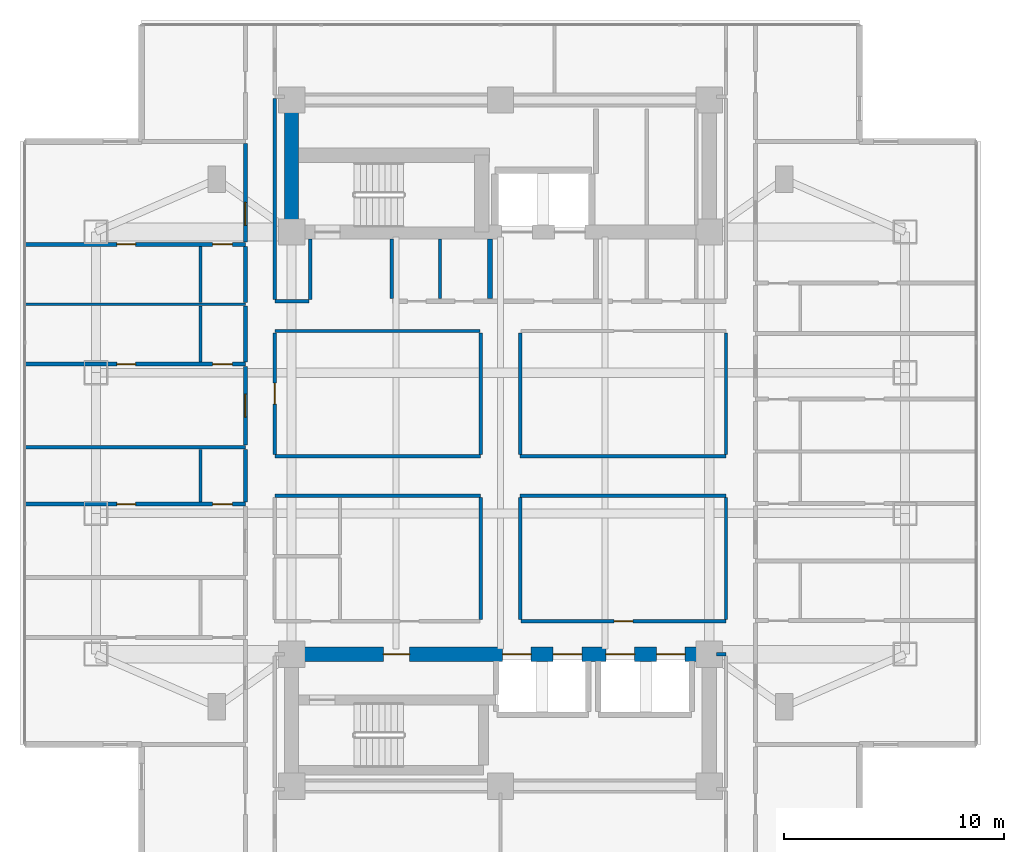
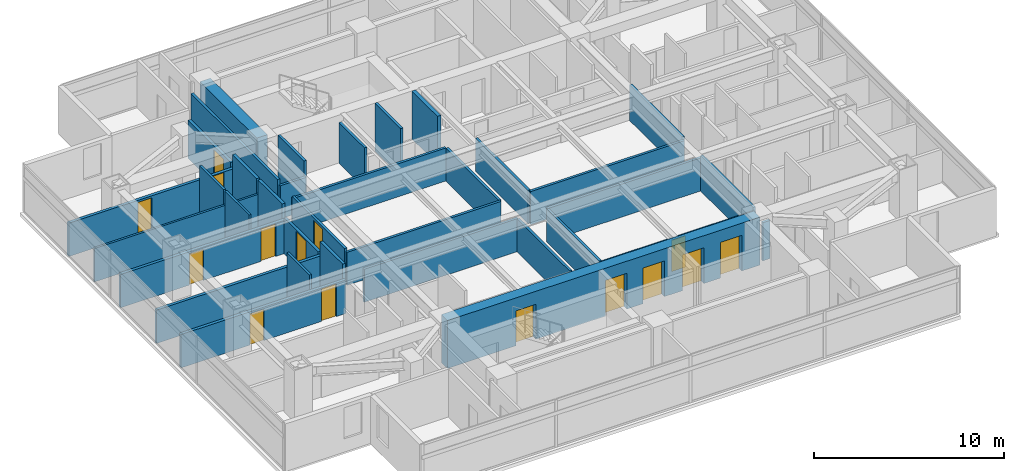
# One storey, part 13 of 25: 35 walls, 15 doors, 15 openings.
"""IFC4 building model written with IfcOpenShell, lengths in metres."""

from ifc_helpers import new_model, si_unit, direction, frame, frame_2d, origin, place, context, subcontext, project, spatial, rectangle, extrude, material, layer, layer_set, type_object, element, fill, save


model = new_model("IFC4")

# Units and contexts
model_context = context("Model", 3, precision=1e-05, world=origin(), true_north=direction((0.0, 1.0)))
body_context = subcontext(model_context, "Body", "Model", "MODEL_VIEW")
ifc_project = project(units=[si_unit("LENGTHUNIT", "METRE"), si_unit("AREAUNIT", "SQUARE_METRE"), si_unit("VOLUMEUNIT", "CUBIC_METRE"), si_unit("PLANEANGLEUNIT", "RADIAN"), si_unit("MASSUNIT", "GRAM", prefix="KILO")], contexts=[model_context])

# Site, building, storey
site_placement = place(None, origin())
site = spatial("IfcSite", under=ifc_project, at=site_placement, CompositionType="ELEMENT")
building_placement = place(site_placement, origin())
building = spatial("IfcBuilding", under=site, at=building_placement, Name="Mirazonda Arch Towers", CompositionType="ELEMENT")
storey_placement = place(building_placement, frame((0.0, 0.0, 104.89990234375)))
storey = spatial("IfcBuildingStorey", under=building, at=storey_placement, Name="L29", CompositionType="ELEMENT", Elevation=104.89990234375)

# Wall
ifc_material_1 = material(Name="Concrete C60/75", Category="concrete")
ifc_layer_1 = layer(ifc_material_1, 0.64990234375, Name="WALL-CORE-650")
ifc_layer_set_1 = layer_set([ifc_layer_1], Name="Concrete C60/75")
wall_type_1 = type_object("IfcWallType", Name="WALL-CORE-650", PredefinedType="SHEAR", material=ifc_layer_set_1)
wall_1_placement = place(storey_placement, frame((11.0, 37.60009765625, 0.0), z_axis=(0.0, 0.0, 1.0), x_axis=(0.0, 1.0, 0.0)))
element("IfcWall", 1, at=wall_1_placement, inside=storey, type_object=wall_type_1, Name="L29 T1N-W Core Shear Wall", PredefinedType="SHEAR", context=body_context, shape_type="SweptSolid", body=[
    extrude(rectangle(XDim=6.0, YDim=0.64990234375, at=frame_2d((3.0, 0.0))), origin(), (0.0, 0.0, 1.0), 3.080078125),
])

# Wall, openings, doors
wall_2_placement = place(storey_placement, frame((11.0, 18.39990234375, 0.0), z_axis=(0.0, 0.0, 1.0), x_axis=(1.0, 0.0, 0.0)))
wall_2 = element("IfcWall", 2, at=wall_2_placement, inside=storey, type_object=wall_type_1, Name="L29 T1S-N Core Shear Wall", PredefinedType="SHEAR", context=body_context, shape_type="SweptSolid", body=[
    extrude(rectangle(XDim=19.0, YDim=0.64990234375, at=frame_2d((9.5, 0.0))), origin(), (0.0, 0.0, 1.0), 3.080078125),
])
opening_1_placement = place(wall_2_placement, frame((4.175048828125, 0.0, 0.0)))
opening_1 = element("IfcOpeningElement", 3, at=opening_1_placement, cuts=wall_2, Name="Opening DR-117", PredefinedType="OPENING", context=body_context, shape_type="SweptSolid", body=[
    extrude(rectangle(XDim=1.199951171875, YDim=2.25, at=frame_2d((0.60009765625, 1.125))), frame((0.0, 0.3349609375, 0.0), z_axis=(0.0, -1.0, 0.0), x_axis=(1.0, 0.0, 0.0)), (0.0, 0.0, 1.0), 0.669921875),
])
opening_2_placement = place(wall_2_placement, frame((9.60009765625, 0.0, 0.0)))
opening_2 = element("IfcOpeningElement", 4, at=opening_2_placement, cuts=wall_2, Name="Opening LD-111", PredefinedType="OPENING", context=body_context, shape_type="SweptSolid", body=[
    extrude(rectangle(XDim=1.300048828125, YDim=2.300048828125, at=frame_2d((0.64990234375, 1.14990234375))), frame((0.0, 0.3349609375, 0.0), z_axis=(0.0, -1.0, 0.0), x_axis=(1.0, 0.0, 0.0)), (0.0, 0.0, 1.0), 0.669921875),
])
opening_3_placement = place(wall_2_placement, frame((11.89990234375, 0.0, 0.0)))
opening_3 = element("IfcOpeningElement", 5, at=opening_3_placement, cuts=wall_2, Name="Opening LD-111", PredefinedType="OPENING", context=body_context, shape_type="SweptSolid", body=[
    extrude(rectangle(XDim=1.300048828125, YDim=2.300048828125, at=frame_2d((0.64990234375, 1.14990234375))), frame((0.0, 0.3349609375, 0.0), z_axis=(0.0, -1.0, 0.0), x_axis=(1.0, 0.0, 0.0)), (0.0, 0.0, 1.0), 0.669921875),
])
opening_4_placement = place(wall_2_placement, frame((14.300048828125, 0.0, 0.0)))
opening_4 = element("IfcOpeningElement", 6, at=opening_4_placement, cuts=wall_2, Name="Opening LD-111", PredefinedType="OPENING", context=body_context, shape_type="SweptSolid", body=[
    extrude(rectangle(XDim=1.300048828125, YDim=2.300048828125, at=frame_2d((0.64990234375, 1.14990234375))), frame((0.0, 0.3349609375, 0.0), z_axis=(0.0, -1.0, 0.0), x_axis=(1.0, 0.0, 0.0)), (0.0, 0.0, 1.0), 0.669921875),
])
opening_5_placement = place(wall_2_placement, frame((16.60009765625, 0.0, 0.0)))
opening_5 = element("IfcOpeningElement", 7, at=opening_5_placement, cuts=wall_2, Name="Opening LD-111", PredefinedType="OPENING", context=body_context, shape_type="SweptSolid", body=[
    extrude(rectangle(XDim=1.300048828125, YDim=2.300048828125, at=frame_2d((0.64990234375, 1.14990234375))), frame((0.0, 0.3349609375, 0.0), z_axis=(0.0, -1.0, 0.0), x_axis=(1.0, 0.0, 0.0)), (0.0, 0.0, 1.0), 0.669921875),
])
ifc_material_2 = material(Name="Architectural Brushed Steel S355", Category="steel")
door_type_1 = type_object("IfcDoorType", Name="DOOR-FFL-FD90-1200", OperationType="NOTDEFINED", PredefinedType="DOOR", material=ifc_material_2)
door_1_placement = place(opening_1_placement, origin())
door_1 = element("IfcDoor", 8, at=door_1_placement, inside=storey, type_object=door_type_1, Name="L29 South Core Stair & Lift Lobby Door", OperationType="SINGLE_SWING_RIGHT", OverallHeight=2.25, OverallWidth=1.199951171875, PredefinedType="DOOR", context=body_context, shape_type="SweptSolid", body=[
    extrude(rectangle(XDim=1.199951171875, YDim=2.25, at=frame_2d((0.60009765625, 1.125))), frame((0.0, 0.02490234375, 0.0), z_axis=(0.0, -1.0, 0.0), x_axis=(1.0, 0.0, 0.0)), (0.0, 0.0, 1.0), 0.050048828125),
])
fill(opening_1, door_1)
door_type_2 = type_object("IfcDoorType", Name="DOOR-LIFT-LAND-1300", OperationType="NOTDEFINED", PredefinedType="DOOR", material=ifc_material_2)
door_2_placement = place(opening_2_placement, origin())
door_2 = element("IfcDoor", 9, at=door_2_placement, inside=storey, type_object=door_type_2, Name="L29 Lift Landing Sliding Door PL-T1M1", OperationType="DOUBLE_DOOR_SLIDING", OverallHeight=2.300048828125, OverallWidth=1.300048828125, PredefinedType="DOOR", context=body_context, shape_type="SweptSolid", body=[
    extrude(rectangle(XDim=1.300048828125, YDim=2.300048828125, at=frame_2d((0.64990234375, 1.14990234375))), frame((0.0, 0.02490234375, 0.0), z_axis=(0.0, -1.0, 0.0), x_axis=(1.0, 0.0, 0.0)), (0.0, 0.0, 1.0), 0.050048828125),
])
fill(opening_2, door_2)
door_3_placement = place(opening_3_placement, origin())
door_3 = element("IfcDoor", 10, at=door_3_placement, inside=storey, type_object=door_type_2, Name="L29 Lift Landing Sliding Door PL-T1M2", OperationType="DOUBLE_DOOR_SLIDING", OverallHeight=2.300048828125, OverallWidth=1.300048828125, PredefinedType="DOOR", context=body_context, shape_type="SweptSolid", body=[
    extrude(rectangle(XDim=1.300048828125, YDim=2.300048828125, at=frame_2d((0.64990234375, 1.14990234375))), frame((0.0, 0.02490234375, 0.0), z_axis=(0.0, -1.0, 0.0), x_axis=(1.0, 0.0, 0.0)), (0.0, 0.0, 1.0), 0.050048828125),
])
fill(opening_3, door_3)
door_4_placement = place(opening_4_placement, origin())
door_4 = element("IfcDoor", 11, at=door_4_placement, inside=storey, type_object=door_type_2, Name="L29 Lift Landing Sliding Door PL-T1H1", OperationType="DOUBLE_DOOR_SLIDING", OverallHeight=2.300048828125, OverallWidth=1.300048828125, PredefinedType="DOOR", context=body_context, shape_type="SweptSolid", body=[
    extrude(rectangle(XDim=1.300048828125, YDim=2.300048828125, at=frame_2d((0.64990234375, 1.14990234375))), frame((0.0, 0.02490234375, 0.0), z_axis=(0.0, -1.0, 0.0), x_axis=(1.0, 0.0, 0.0)), (0.0, 0.0, 1.0), 0.050048828125),
])
fill(opening_4, door_4)
door_5_placement = place(opening_5_placement, origin())
door_5 = element("IfcDoor", 12, at=door_5_placement, inside=storey, type_object=door_type_2, Name="L29 Lift Landing Sliding Door PL-T1H2", OperationType="DOUBLE_DOOR_SLIDING", OverallHeight=2.300048828125, OverallWidth=1.300048828125, PredefinedType="DOOR", context=body_context, shape_type="SweptSolid", body=[
    extrude(rectangle(XDim=1.300048828125, YDim=2.300048828125, at=frame_2d((0.64990234375, 1.14990234375))), frame((0.0, 0.02490234375, 0.0), z_axis=(0.0, -1.0, 0.0), x_axis=(1.0, 0.0, 0.0)), (0.0, 0.0, 1.0), 0.050048828125),
])
fill(opening_5, door_5)

# Walls
ifc_material_3 = material(Name="Concrete C40/50", Category="concrete")
ifc_layer_2 = layer(ifc_material_3, 0.219970703125, Name="WALL-FFL-220")
ifc_layer_set_2 = layer_set([ifc_layer_2], Name="Concrete C40/50")
wall_type_2 = type_object("IfcWallType", Name="WALL-FFL-220", PredefinedType="SOLIDWALL", material=ifc_layer_set_2)
wall_3_placement = place(storey_placement, frame((20.02490234375, 34.570068359375, 0.0), z_axis=(0.0, 0.0, 1.0), x_axis=(0.0, 1.0, 0.0)))
element("IfcWall", 13, at=wall_3_placement, inside=storey, type_object=wall_type_2, Name="L29 Interior Partition 096", PredefinedType="SOLIDWALL", context=body_context, shape_type="SweptSolid", body=[
    extrude(rectangle(XDim=2.7099609375, YDim=0.219970703125, at=frame_2d((1.35498046875, 0.0))), origin(), (0.0, 0.0, 1.0), 3.080078125),
])
ifc_material_4 = material(Name="Fire-Rated Gypsum Stud Partition")
ifc_layer_3 = layer(ifc_material_4, 0.14990234375, Name="WALL-PART-CORR-150")
ifc_layer_set_3 = layer_set([ifc_layer_3], Name="Fire-Rated Gypsum Stud Partition")
wall_type_3 = type_object("IfcWallType", Name="WALL-PART-CORR-150", PredefinedType="PARTITIONING", material=ifc_layer_set_3)
wall_4_placement = place(storey_placement, frame((30.320068359375, 18.39990234375, 0.0), z_axis=(0.0, 0.0, 1.0), x_axis=(1.0, 0.0, 0.0)))
element("IfcWall", 14, at=wall_4_placement, inside=storey, type_object=wall_type_3, Name="L29 Interior Partition 013", PredefinedType="PARTITIONING", context=body_context, shape_type="SweptSolid", body=[
    extrude(rectangle(XDim=0.43994140625, YDim=0.14990234375, at=frame_2d((0.219970703125, 0.0))), origin(), (0.0, 0.0, 1.0), 2.4560546875),
])

# Wall, opening, door
wall_5_placement = place(storey_placement, frame((21.43994140625, 19.89990234375, 0.0), z_axis=(0.0, 0.0, 1.0), x_axis=(1.0, 0.0, 0.0)))
wall_5 = element("IfcWall", 15, at=wall_5_placement, inside=storey, type_object=wall_type_3, Name="L29 Interior Partition 017", PredefinedType="PARTITIONING", context=body_context, shape_type="SweptSolid", body=[
    extrude(rectangle(XDim=9.320068359375, YDim=0.14990234375, at=frame_2d((4.66015625, 0.0))), origin(), (0.0, 0.0, 1.0), 2.1240234375),
])
opening_6_placement = place(wall_5_placement, frame((4.235107421875, 0.0, 0.0)))
opening_6 = element("IfcOpeningElement", 16, at=opening_6_placement, cuts=wall_5, Name="Opening DR-128", PredefinedType="OPENING", context=body_context, shape_type="SweptSolid", body=[
    extrude(rectangle(XDim=0.85009765625, YDim=2.010009765625, at=frame_2d((0.425048828125, 1.0048828125))), frame((0.0, 0.0849609375, 0.0), z_axis=(0.0, -1.0, 0.0), x_axis=(1.0, 0.0, 0.0)), (0.0, 0.0, 1.0), 0.169921875),
])
door_type_3 = type_object("IfcDoorType", Name="DOOR-RISER-FD60-850", OperationType="NOTDEFINED", PredefinedType="DOOR", material=ifc_material_2)
door_6_placement = place(opening_6_placement, origin())
door_6 = element("IfcDoor", 17, at=door_6_placement, inside=storey, type_object=door_type_3, Name="L29 L29 South-East Cruciform Lounge Door", OperationType="SINGLE_SWING_LEFT", OverallHeight=2.010009765625, OverallWidth=0.85009765625, PredefinedType="DOOR", context=body_context, shape_type="SweptSolid", body=[
    extrude(rectangle(XDim=0.85009765625, YDim=2.010009765625, at=frame_2d((0.425048828125, 1.0048828125))), frame((0.0, 0.02490234375, 0.0), z_axis=(0.0, -1.0, 0.0), x_axis=(1.0, 0.0, 0.0)), (0.0, 0.0, 1.0), 0.050048828125),
])
fill(opening_6, door_6)

# Walls
for number, where, z_axis, x_axis, name in (
    (18, (10.239990234375, 25.60009765625, 0.0), (0.0, 0.0, 1.0), (1.0, 0.0, 0.0), "L29 Interior Partition 031"),
    (19, (21.39990234375, 25.60009765625, 0.0), (0.0, 0.0, 1.0), (1.0, 0.0, 0.0), "L29 Interior Partition 032"),
    (20, (10.239990234375, 27.39990234375, 0.0), (0.0, 0.0, 1.0), (1.0, 0.0, 0.0), "L29 Interior Partition 036"),
    (21, (21.39990234375, 27.39990234375, 0.0), (0.0, 0.0, 1.0), (1.0, 0.0, 0.0), "L29 Interior Partition 037"),
):
    element("IfcWall", number, at=place(storey_placement, frame(where, z_axis=z_axis, x_axis=x_axis)), inside=storey, type_object=wall_type_3, Name=name, PredefinedType="PARTITIONING", context=body_context, shape_type="SweptSolid", body=[
        extrude(rectangle(XDim=9.360107421875, YDim=0.14990234375, at=frame_2d((4.68017578125, 0.0))), origin(), (0.0, 0.0, 1.0), 2.1240234375),
    ])
wall_6_placement = place(storey_placement, frame((10.239990234375, 33.10009765625, 0.0), z_axis=(0.0, 0.0, 1.0), x_axis=(1.0, 0.0, 0.0)))
element("IfcWall", 22, at=wall_6_placement, inside=storey, type_object=wall_type_3, Name="L29 Interior Partition 048", PredefinedType="PARTITIONING", context=body_context, shape_type="SweptSolid", body=[
    extrude(rectangle(XDim=9.320068359375, YDim=0.14990234375, at=frame_2d((4.66015625, 0.0))), origin(), (0.0, 0.0, 1.0), 2.1240234375),
])
wall_7_placement = place(storey_placement, frame((10.239990234375, 34.449951171875, 0.0), z_axis=(0.0, 0.0, 1.0), x_axis=(1.0, 0.0, 0.0)))
element("IfcWall", 23, at=wall_7_placement, inside=storey, type_object=wall_type_3, Name="L29 Interior Partition 052", PredefinedType="PARTITIONING", context=body_context, shape_type="SweptSolid", body=[
    extrude(rectangle(XDim=1.56005859375, YDim=0.14990234375, at=frame_2d((0.780029296875, 0.0))), origin(), (0.0, 0.0, 1.0), 2.1240234375),
])

# Wall, opening, door
wall_8_placement = place(storey_placement, frame((10.239990234375, 27.485107421875, 0.0), z_axis=(0.0, 0.0, 1.0), x_axis=(0.0, 1.0, 0.0)))
wall_8 = element("IfcWall", 24, at=wall_8_placement, inside=storey, type_object=wall_type_3, Name="L29 Interior Partition 085", PredefinedType="PARTITIONING", context=body_context, shape_type="SweptSolid", body=[
    extrude(rectangle(XDim=5.52978515625, YDim=0.14990234375, at=frame_2d((2.764892578125, 0.0))), origin(), (0.0, 0.0, 1.0), 2.299072265625),
])
opening_7_placement = place(wall_8_placement, frame((2.2900390625, 0.0, 0.0)))
opening_7 = element("IfcOpeningElement", 25, at=opening_7_placement, cuts=wall_8, Name="Opening DR-104", PredefinedType="OPENING", context=body_context, shape_type="SweptSolid", body=[
    extrude(rectangle(XDim=0.949951171875, YDim=2.14990234375, at=frame_2d((0.47509765625, 1.074951171875))), frame((0.0, 0.0849609375, 0.0), z_axis=(0.0, -1.0, 0.0), x_axis=(1.0, 0.0, 0.0)), (0.0, 0.0, 1.0), 0.169921875),
])
door_type_4 = type_object("IfcDoorType", Name="DOOR-ROOM-950", OperationType="NOTDEFINED", PredefinedType="DOOR", material=ifc_material_2)
door_7_placement = place(opening_7_placement, origin())
door_7 = element("IfcDoor", 26, at=door_7_placement, inside=storey, type_object=door_type_4, Name="L29 L29 West Courtyard Reading Salon Door", OperationType="SINGLE_SWING_RIGHT", OverallHeight=2.14990234375, OverallWidth=0.949951171875, PredefinedType="DOOR", context=body_context, shape_type="SweptSolid", body=[
    extrude(rectangle(XDim=0.949951171875, YDim=2.14990234375, at=frame_2d((0.47509765625, 1.074951171875))), frame((0.0, 0.02490234375, 0.0), z_axis=(0.0, -1.0, 0.0), x_axis=(1.0, 0.0, 0.0)), (0.0, 0.0, 1.0), 0.050048828125),
])
fill(opening_7, door_7)

# Walls
wall_9_placement = place(storey_placement, frame((10.239990234375, 34.534912109375, 0.0), z_axis=(0.0, 0.0, 1.0), x_axis=(0.0, 1.0, 0.0)))
element("IfcWall", 27, at=wall_9_placement, inside=storey, type_object=wall_type_3, Name="L29 Interior Partition 086", PredefinedType="PARTITIONING", context=body_context, shape_type="SweptSolid", body=[
    extrude(rectangle(XDim=9.130126953125, YDim=0.14990234375, at=frame_2d((4.56494140625, 0.0))), origin(), (0.0, 0.0, 1.0), 2.4560546875),
])
wall_10_placement = place(storey_placement, frame((11.85009765625, 34.534912109375, 0.0), z_axis=(0.0, 0.0, 1.0), x_axis=(0.0, 1.0, 0.0)))
element("IfcWall", 28, at=wall_10_placement, inside=storey, type_object=wall_type_3, Name="L29 Interior Partition 088", PredefinedType="PARTITIONING", context=body_context, shape_type="SweptSolid", body=[
    extrude(rectangle(XDim=2.7451171875, YDim=0.14990234375, at=frame_2d((1.37255859375, 0.0))), origin(), (0.0, 0.0, 1.0), 3.080078125),
])
wall_11_placement = place(storey_placement, frame((15.550048828125, 34.570068359375, 0.0), z_axis=(0.0, 0.0, 1.0), x_axis=(0.0, 1.0, 0.0)))
element("IfcWall", 29, at=wall_11_placement, inside=storey, type_object=wall_type_3, Name="L29 Interior Partition 091", PredefinedType="PARTITIONING", context=body_context, shape_type="SweptSolid", body=[
    extrude(rectangle(XDim=2.7099609375, YDim=0.14990234375, at=frame_2d((1.35498046875, 0.0))), origin(), (0.0, 0.0, 1.0), 2.609130859375),
])
wall_12_placement = place(storey_placement, frame((17.75, 34.570068359375, 0.0), z_axis=(0.0, 0.0, 1.0), x_axis=(0.0, 1.0, 0.0)))
element("IfcWall", 30, at=wall_12_placement, inside=storey, type_object=wall_type_3, Name="L29 Interior Partition 092", PredefinedType="PARTITIONING", context=body_context, shape_type="SweptSolid", body=[
    extrude(rectangle(XDim=2.7099609375, YDim=0.14990234375, at=frame_2d((1.35498046875, 0.0))), origin(), (0.0, 0.0, 1.0), 3.080078125),
])
for number, where, z_axis, x_axis, name in (
    (31, (19.60009765625, 19.985107421875, 0.0), (0.0, 0.0, 1.0), (0.0, 1.0, 0.0), "L29 Interior Partition 093"),
    (32, (19.60009765625, 27.485107421875, 0.0), (0.0, 0.0, 1.0), (0.0, 1.0, 0.0), "L29 Interior Partition 094"),
    (33, (21.39990234375, 19.985107421875, 0.0), (0.0, 0.0, 1.0), (0.0, 1.0, 0.0), "L29 Interior Partition 101"),
    (34, (21.39990234375, 27.485107421875, 0.0), (0.0, 0.0, 1.0), (0.0, 1.0, 0.0), "L29 Interior Partition 102"),
):
    element("IfcWall", number, at=place(storey_placement, frame(where, z_axis=z_axis, x_axis=x_axis)), inside=storey, type_object=wall_type_3, Name=name, PredefinedType="PARTITIONING", context=body_context, shape_type="SweptSolid", body=[
        extrude(rectangle(XDim=5.52978515625, YDim=0.14990234375, at=frame_2d((2.764892578125, 0.0))), origin(), (0.0, 0.0, 1.0), 2.1240234375),
    ])
for number, where, z_axis, x_axis, name in (
    (35, (30.760009765625, 19.985107421875, 0.0), (0.0, 0.0, 1.0), (0.0, 1.0, 0.0), "L29 Interior Partition 116"),
    (36, (30.760009765625, 27.485107421875, 0.0), (0.0, 0.0, 1.0), (0.0, 1.0, 0.0), "L29 Interior Partition 117"),
):
    element("IfcWall", number, at=place(storey_placement, frame(where, z_axis=z_axis, x_axis=x_axis)), inside=storey, type_object=wall_type_3, Name=name, PredefinedType="PARTITIONING", context=body_context, shape_type="SweptSolid", body=[
        extrude(rectangle(XDim=5.52978515625, YDim=0.14990234375, at=frame_2d((2.764892578125, 0.0))), origin(), (0.0, 0.0, 1.0), 2.299072265625),
    ])

# Wall, openings, doors
ifc_material_5 = material(Name="Fire-Rated Gypsum Twin-Stud Assembly")
ifc_layer_4 = layer(ifc_material_5, 0.179931640625, Name="WALL-PART-DEMISE-180")
ifc_layer_set_4 = layer_set([ifc_layer_4], Name="Fire-Rated Gypsum Twin-Stud Assembly")
wall_type_4 = type_object("IfcWallType", Name="WALL-PART-DEMISE-180", PredefinedType="PARTITIONING", material=ifc_layer_set_4)
wall_13_placement = place(storey_placement, frame((-1.1298828125, 25.22412109375, 0.0), z_axis=(0.0, 0.0, 1.0), x_axis=(1.0, 0.0, 0.0)))
wall_13 = element("IfcWall", 37, at=wall_13_placement, inside=storey, type_object=wall_type_4, Name="L29 Interior Partition 029", PredefinedType="PARTITIONING", context=body_context, shape_type="SweptSolid", body=[
    extrude(rectangle(XDim=10.02978515625, YDim=0.179931640625, at=frame_2d((5.014892578125, 0.0))), origin(), (0.0, 0.0, 1.0), 2.14501953125),
])
opening_8_placement = place(wall_13_placement, frame((4.18994140625, 0.0, 0.0)))
opening_8 = element("IfcOpeningElement", 38, at=opening_8_placement, cuts=wall_13, Name="Opening DR-128", PredefinedType="OPENING", context=body_context, shape_type="SweptSolid", body=[
    extrude(rectangle(XDim=0.85009765625, YDim=2.010009765625, at=frame_2d((0.425048828125, 1.0048828125))), frame((0.0, 0.099853515625, 0.0), z_axis=(0.0, -1.0, 0.0), x_axis=(1.0, 0.0, 0.0)), (0.0, 0.0, 1.0), 0.199951171875),
])
opening_9_placement = place(wall_13_placement, frame((8.5400390625, 0.0, 0.0)))
opening_9 = element("IfcOpeningElement", 39, at=opening_9_placement, cuts=wall_13, Name="Opening DR-120", PredefinedType="OPENING", context=body_context, shape_type="SweptSolid", body=[
    extrude(rectangle(XDim=0.89990234375, YDim=2.10009765625, at=frame_2d((0.449951171875, 1.050048828125))), frame((0.0, 0.099853515625, 0.0), z_axis=(0.0, -1.0, 0.0), x_axis=(1.0, 0.0, 0.0)), (0.0, 0.0, 1.0), 0.199951171875),
])
door_8_placement = place(opening_8_placement, origin())
door_8 = element("IfcDoor", 40, at=door_8_placement, inside=storey, type_object=door_type_3, Name="L29 Suite Bedroom 2 Door", OperationType="SINGLE_SWING_LEFT", OverallHeight=2.010009765625, OverallWidth=0.85009765625, PredefinedType="DOOR", context=body_context, shape_type="SweptSolid", body=[
    extrude(rectangle(XDim=0.85009765625, YDim=2.010009765625, at=frame_2d((0.425048828125, 1.0048828125))), frame((0.0, 0.02490234375, 0.0), z_axis=(0.0, -1.0, 0.0), x_axis=(1.0, 0.0, 0.0)), (0.0, 0.0, 1.0), 0.050048828125),
])
fill(opening_8, door_8)
door_type_5 = type_object("IfcDoorType", Name="DOOR-WC-900", OperationType="NOTDEFINED", PredefinedType="DOOR", material=ifc_material_2)
door_9_placement = place(opening_9_placement, origin())
door_9 = element("IfcDoor", 41, at=door_9_placement, inside=storey, type_object=door_type_5, Name="L29 Suite En-Suite Bathroom 2 Door", OperationType="SINGLE_SWING_RIGHT", OverallHeight=2.10009765625, OverallWidth=0.89990234375, PredefinedType="DOOR", context=body_context, shape_type="SweptSolid", body=[
    extrude(rectangle(XDim=0.89990234375, YDim=2.10009765625, at=frame_2d((0.449951171875, 1.050048828125))), frame((0.0, 0.02490234375, 0.0), z_axis=(0.0, -1.0, 0.0), x_axis=(1.0, 0.0, 0.0)), (0.0, 0.0, 1.0), 0.050048828125),
])
fill(opening_9, door_9)

# Wall
wall_14_placement = place(storey_placement, frame((-1.1298828125, 27.80908203125, 0.0), z_axis=(0.0, 0.0, 1.0), x_axis=(1.0, 0.0, 0.0)))
element("IfcWall", 42, at=wall_14_placement, inside=storey, type_object=wall_type_4, Name="L29 Interior Partition 038", PredefinedType="PARTITIONING", context=body_context, shape_type="SweptSolid", body=[
    extrude(rectangle(XDim=10.02978515625, YDim=0.179931640625, at=frame_2d((5.014892578125, 0.0))), origin(), (0.0, 0.0, 1.0), 2.14501953125),
])

# Wall, openings, doors
wall_15_placement = place(storey_placement, frame((-1.1298828125, 31.593017578125, 0.0), z_axis=(0.0, 0.0, 1.0), x_axis=(1.0, 0.0, 0.0)))
wall_15 = element("IfcWall", 43, at=wall_15_placement, inside=storey, type_object=wall_type_4, Name="L29 Interior Partition 045", PredefinedType="PARTITIONING", context=body_context, shape_type="SweptSolid", body=[
    extrude(rectangle(XDim=10.02978515625, YDim=0.179931640625, at=frame_2d((5.014892578125, 0.0))), origin(), (0.0, 0.0, 1.0), 2.14501953125),
])
opening_10_placement = place(wall_15_placement, frame((4.18994140625, 0.0, 0.0)))
opening_10 = element("IfcOpeningElement", 44, at=opening_10_placement, cuts=wall_15, Name="Opening DR-128", PredefinedType="OPENING", context=body_context, shape_type="SweptSolid", body=[
    extrude(rectangle(XDim=0.85009765625, YDim=2.010009765625, at=frame_2d((0.425048828125, 1.0048828125))), frame((0.0, 0.099853515625, 0.0), z_axis=(0.0, -1.0, 0.0), x_axis=(1.0, 0.0, 0.0)), (0.0, 0.0, 1.0), 0.199951171875),
])
opening_11_placement = place(wall_15_placement, frame((8.5400390625, 0.0, 0.0)))
opening_11 = element("IfcOpeningElement", 45, at=opening_11_placement, cuts=wall_15, Name="Opening DR-120", PredefinedType="OPENING", context=body_context, shape_type="SweptSolid", body=[
    extrude(rectangle(XDim=0.89990234375, YDim=2.10009765625, at=frame_2d((0.449951171875, 1.050048828125))), frame((0.0, 0.099853515625, 0.0), z_axis=(0.0, -1.0, 0.0), x_axis=(1.0, 0.0, 0.0)), (0.0, 0.0, 1.0), 0.199951171875),
])
door_10_placement = place(opening_10_placement, origin())
door_10 = element("IfcDoor", 46, at=door_10_placement, inside=storey, type_object=door_type_3, Name="L29 Suite Bedroom 3 Door", OperationType="SINGLE_SWING_RIGHT", OverallHeight=2.010009765625, OverallWidth=0.85009765625, PredefinedType="DOOR", context=body_context, shape_type="SweptSolid", body=[
    extrude(rectangle(XDim=0.85009765625, YDim=2.010009765625, at=frame_2d((0.425048828125, 1.0048828125))), frame((0.0, 0.02490234375, 0.0), z_axis=(0.0, -1.0, 0.0), x_axis=(1.0, 0.0, 0.0)), (0.0, 0.0, 1.0), 0.050048828125),
])
fill(opening_10, door_10)
door_11_placement = place(opening_11_placement, origin())
door_11 = element("IfcDoor", 47, at=door_11_placement, inside=storey, type_object=door_type_5, Name="L29 Suite En-Suite Bathroom 3 Door", OperationType="SINGLE_SWING_LEFT", OverallHeight=2.10009765625, OverallWidth=0.89990234375, PredefinedType="DOOR", context=body_context, shape_type="SweptSolid", body=[
    extrude(rectangle(XDim=0.89990234375, YDim=2.10009765625, at=frame_2d((0.449951171875, 1.050048828125))), frame((0.0, 0.02490234375, 0.0), z_axis=(0.0, -1.0, 0.0), x_axis=(1.0, 0.0, 0.0)), (0.0, 0.0, 1.0), 0.050048828125),
])
fill(opening_11, door_11)

wall_16_placement = place(storey_placement, frame((-1.1298828125, 37.032958984375, 0.0), z_axis=(0.0, 0.0, 1.0), x_axis=(1.0, 0.0, 0.0)))
wall_16 = element("IfcWall", 48, at=wall_16_placement, inside=storey, type_object=wall_type_4, Name="L29 Interior Partition 057", PredefinedType="PARTITIONING", context=body_context, shape_type="SweptSolid", body=[
    extrude(rectangle(XDim=10.02978515625, YDim=0.179931640625, at=frame_2d((5.014892578125, 0.0))), origin(), (0.0, 0.0, 1.0), 2.14501953125),
])
opening_12_placement = place(wall_16_placement, frame((4.18994140625, 0.0, 0.0)))
opening_12 = element("IfcOpeningElement", 49, at=opening_12_placement, cuts=wall_16, Name="Opening DR-128", PredefinedType="OPENING", context=body_context, shape_type="SweptSolid", body=[
    extrude(rectangle(XDim=0.85009765625, YDim=2.010009765625, at=frame_2d((0.425048828125, 1.0048828125))), frame((0.0, 0.099853515625, 0.0), z_axis=(0.0, -1.0, 0.0), x_axis=(1.0, 0.0, 0.0)), (0.0, 0.0, 1.0), 0.199951171875),
])
opening_13_placement = place(wall_16_placement, frame((8.5400390625, 0.0, 0.0)))
opening_13 = element("IfcOpeningElement", 50, at=opening_13_placement, cuts=wall_16, Name="Opening DR-120", PredefinedType="OPENING", context=body_context, shape_type="SweptSolid", body=[
    extrude(rectangle(XDim=0.89990234375, YDim=2.10009765625, at=frame_2d((0.449951171875, 1.050048828125))), frame((0.0, 0.099853515625, 0.0), z_axis=(0.0, -1.0, 0.0), x_axis=(1.0, 0.0, 0.0)), (0.0, 0.0, 1.0), 0.199951171875),
])
door_12_placement = place(opening_12_placement, origin())
door_12 = element("IfcDoor", 51, at=door_12_placement, inside=storey, type_object=door_type_3, Name="L29 Suite Bedroom 4 Door", OperationType="SINGLE_SWING_LEFT", OverallHeight=2.010009765625, OverallWidth=0.85009765625, PredefinedType="DOOR", context=body_context, shape_type="SweptSolid", body=[
    extrude(rectangle(XDim=0.85009765625, YDim=2.010009765625, at=frame_2d((0.425048828125, 1.0048828125))), frame((0.0, 0.02490234375, 0.0), z_axis=(0.0, -1.0, 0.0), x_axis=(1.0, 0.0, 0.0)), (0.0, 0.0, 1.0), 0.050048828125),
])
fill(opening_12, door_12)
door_13_placement = place(opening_13_placement, origin())
door_13 = element("IfcDoor", 52, at=door_13_placement, inside=storey, type_object=door_type_5, Name="L29 Suite En-Suite Bathroom 4 Door", OperationType="SINGLE_SWING_RIGHT", OverallHeight=2.10009765625, OverallWidth=0.89990234375, PredefinedType="DOOR", context=body_context, shape_type="SweptSolid", body=[
    extrude(rectangle(XDim=0.89990234375, YDim=2.10009765625, at=frame_2d((0.449951171875, 1.050048828125))), frame((0.0, 0.02490234375, 0.0), z_axis=(0.0, -1.0, 0.0), x_axis=(1.0, 0.0, 0.0)), (0.0, 0.0, 1.0), 0.050048828125),
])
fill(opening_13, door_13)

# Wall
wall_17_placement = place(storey_placement, frame((8.89990234375, 25.323974609375, 0.0), z_axis=(0.0, 0.0, 1.0), x_axis=(0.0, 1.0, 0.0)))
element("IfcWall", 53, at=wall_17_placement, inside=storey, type_object=wall_type_4, Name="L29 Interior Partition 075", PredefinedType="PARTITIONING", context=body_context, shape_type="SweptSolid", body=[
    extrude(rectangle(XDim=2.385009765625, YDim=0.179931640625, at=frame_2d((1.1923828125, 0.0))), origin(), (0.0, 0.0, 1.0), 3.080078125),
])

# Wall, opening, door
wall_18_placement = place(storey_placement, frame((8.89990234375, 27.908935546875, 0.0), z_axis=(0.0, 0.0, 1.0), x_axis=(0.0, 1.0, 0.0)))
wall_18 = element("IfcWall", 54, at=wall_18_placement, inside=storey, type_object=wall_type_4, Name="L29 Interior Partition 076", PredefinedType="PARTITIONING", context=body_context, shape_type="SweptSolid", body=[
    extrude(rectangle(XDim=3.583984375, YDim=0.179931640625, at=frame_2d((1.7919921875, 0.0))), origin(), (0.0, 0.0, 1.0), 2.299072265625),
])
opening_14_placement = place(wall_18_placement, frame((1.26708984375, 0.0, 0.0)))
opening_14 = element("IfcOpeningElement", 55, at=opening_14_placement, cuts=wall_18, Name="Opening DR-121", PredefinedType="OPENING", context=body_context, shape_type="SweptSolid", body=[
    extrude(rectangle(XDim=1.050048828125, YDim=2.199951171875, at=frame_2d((0.52490234375, 1.10009765625))), frame((0.0, 0.099853515625, 0.0), z_axis=(0.0, -1.0, 0.0), x_axis=(1.0, 0.0, 0.0)), (0.0, 0.0, 1.0), 0.199951171875),
])
door_type_6 = type_object("IfcDoorType", Name="DOOR-SUITE-FD60-1050", OperationType="NOTDEFINED", PredefinedType="DOOR", material=ifc_material_2)
door_14_placement = place(opening_14_placement, origin())
door_14 = element("IfcDoor", 56, at=door_14_placement, inside=storey, type_object=door_type_6, Name="L29 Deluxe Suite Living Room 3 Door", OperationType="SINGLE_SWING_LEFT", OverallHeight=2.199951171875, OverallWidth=1.050048828125, PredefinedType="DOOR", context=body_context, shape_type="SweptSolid", body=[
    extrude(rectangle(XDim=1.050048828125, YDim=2.199951171875, at=frame_2d((0.52490234375, 1.10009765625))), frame((0.0, 0.02490234375, 0.0), z_axis=(0.0, -1.0, 0.0), x_axis=(1.0, 0.0, 0.0)), (0.0, 0.0, 1.0), 0.050048828125),
])
fill(opening_14, door_14)

# Walls
wall_19_placement = place(storey_placement, frame((8.89990234375, 31.693115234375, 0.0), z_axis=(0.0, 0.0, 1.0), x_axis=(0.0, 1.0, 0.0)))
element("IfcWall", 57, at=wall_19_placement, inside=storey, type_object=wall_type_4, Name="L29 Interior Partition 077", PredefinedType="PARTITIONING", context=body_context, shape_type="SweptSolid", body=[
    extrude(rectangle(XDim=2.54736328125, YDim=0.179931640625, at=frame_2d((1.273681640625, 0.0))), origin(), (0.0, 0.0, 1.0), 3.080078125),
])
wall_20_placement = place(storey_placement, frame((8.89990234375, 34.385498046875, 0.0), z_axis=(0.0, 0.0, 1.0), x_axis=(0.0, 1.0, 0.0)))
element("IfcWall", 58, at=wall_20_placement, inside=storey, type_object=wall_type_4, Name="L29 Interior Partition 078", PredefinedType="PARTITIONING", context=body_context, shape_type="SweptSolid", body=[
    extrude(rectangle(XDim=2.547607421875, YDim=0.179931640625, at=frame_2d((1.27392578125, 0.0))), origin(), (0.0, 0.0, 1.0), 3.080078125),
])

# Wall, opening, door
wall_21_placement = place(storey_placement, frame((8.89990234375, 37.133056640625, 0.0), z_axis=(0.0, 0.0, 1.0), x_axis=(0.0, 1.0, 0.0)))
wall_21 = element("IfcWall", 59, at=wall_21_placement, inside=storey, type_object=wall_type_4, Name="L29 Interior Partition 079", PredefinedType="PARTITIONING", context=body_context, shape_type="SweptSolid", body=[
    extrude(rectangle(XDim=4.48193359375, YDim=0.179931640625, at=frame_2d((2.240966796875, 0.0))), origin(), (0.0, 0.0, 1.0), 2.4560546875),
])
opening_15_placement = place(wall_21_placement, frame((0.76611328125, 0.0, 0.0)))
opening_15 = element("IfcOpeningElement", 60, at=opening_15_placement, cuts=wall_21, Name="Opening DR-121", PredefinedType="OPENING", context=body_context, shape_type="SweptSolid", body=[
    extrude(rectangle(XDim=1.050048828125, YDim=2.199951171875, at=frame_2d((0.52490234375, 1.10009765625))), frame((0.0, 0.099853515625, 0.0), z_axis=(0.0, -1.0, 0.0), x_axis=(1.0, 0.0, 0.0)), (0.0, 0.0, 1.0), 0.199951171875),
])
door_15_placement = place(opening_15_placement, origin())
door_15 = element("IfcDoor", 61, at=door_15_placement, inside=storey, type_object=door_type_6, Name="L29 Deluxe Suite Living Room 4 Door", OperationType="SINGLE_SWING_RIGHT", OverallHeight=2.199951171875, OverallWidth=1.050048828125, PredefinedType="DOOR", context=body_context, shape_type="SweptSolid", body=[
    extrude(rectangle(XDim=1.050048828125, YDim=2.199951171875, at=frame_2d((0.52490234375, 1.10009765625))), frame((0.0, 0.02490234375, 0.0), z_axis=(0.0, -1.0, 0.0), x_axis=(1.0, 0.0, 0.0)), (0.0, 0.0, 1.0), 0.050048828125),
])
fill(opening_15, door_15)

# Walls
ifc_material_6 = material(Name="Acoustic Fire-Rated Gypsum Partition")
ifc_layer_5 = layer(ifc_material_6, 0.125, Name="WALL-PART-UNIT-125")
ifc_layer_set_5 = layer_set([ifc_layer_5], Name="Acoustic Fire-Rated Gypsum Partition")
wall_type_5 = type_object("IfcWallType", Name="WALL-PART-UNIT-125", PredefinedType="PARTITIONING", material=ifc_layer_set_5)
wall_22_placement = place(storey_placement, frame((-1.1298828125, 34.31298828125, 0.0), z_axis=(0.0, 0.0, 1.0), x_axis=(1.0, 0.0, 0.0)))
element("IfcWall", 62, at=wall_22_placement, inside=storey, type_object=wall_type_5, Name="L29 Interior Partition 051", PredefinedType="PARTITIONING", context=body_context, shape_type="SweptSolid", body=[
    extrude(rectangle(XDim=10.02978515625, YDim=0.125, at=frame_2d((5.014892578125, 0.0))), origin(), (0.0, 0.0, 1.0), 2.14501953125),
])
wall_23_placement = place(storey_placement, frame((6.860107421875, 25.323974609375, 0.0), z_axis=(0.0, 0.0, 1.0), x_axis=(0.0, 1.0, 0.0)))
element("IfcWall", 63, at=wall_23_placement, inside=storey, type_object=wall_type_5, Name="L29 Interior Partition 068", PredefinedType="PARTITIONING", context=body_context, shape_type="SweptSolid", body=[
    extrude(rectangle(XDim=2.385009765625, YDim=0.125, at=frame_2d((1.1923828125, 0.0))), origin(), (0.0, 0.0, 1.0), 3.080078125),
])
wall_24_placement = place(storey_placement, frame((6.860107421875, 31.693115234375, 0.0), z_axis=(0.0, 0.0, 1.0), x_axis=(0.0, 1.0, 0.0)))
element("IfcWall", 64, at=wall_24_placement, inside=storey, type_object=wall_type_5, Name="L29 Interior Partition 069", PredefinedType="PARTITIONING", context=body_context, shape_type="SweptSolid", body=[
    extrude(rectangle(XDim=2.54736328125, YDim=0.125, at=frame_2d((1.273681640625, 0.0))), origin(), (0.0, 0.0, 1.0), 3.080078125),
])
wall_25_placement = place(storey_placement, frame((6.860107421875, 34.385498046875, 0.0), z_axis=(0.0, 0.0, 1.0), x_axis=(0.0, 1.0, 0.0)))
element("IfcWall", 65, at=wall_25_placement, inside=storey, type_object=wall_type_5, Name="L29 Interior Partition 070", PredefinedType="PARTITIONING", context=body_context, shape_type="SweptSolid", body=[
    extrude(rectangle(XDim=2.547607421875, YDim=0.125, at=frame_2d((1.27392578125, 0.0))), origin(), (0.0, 0.0, 1.0), 3.080078125),
])

save(model, "model.ifc")
